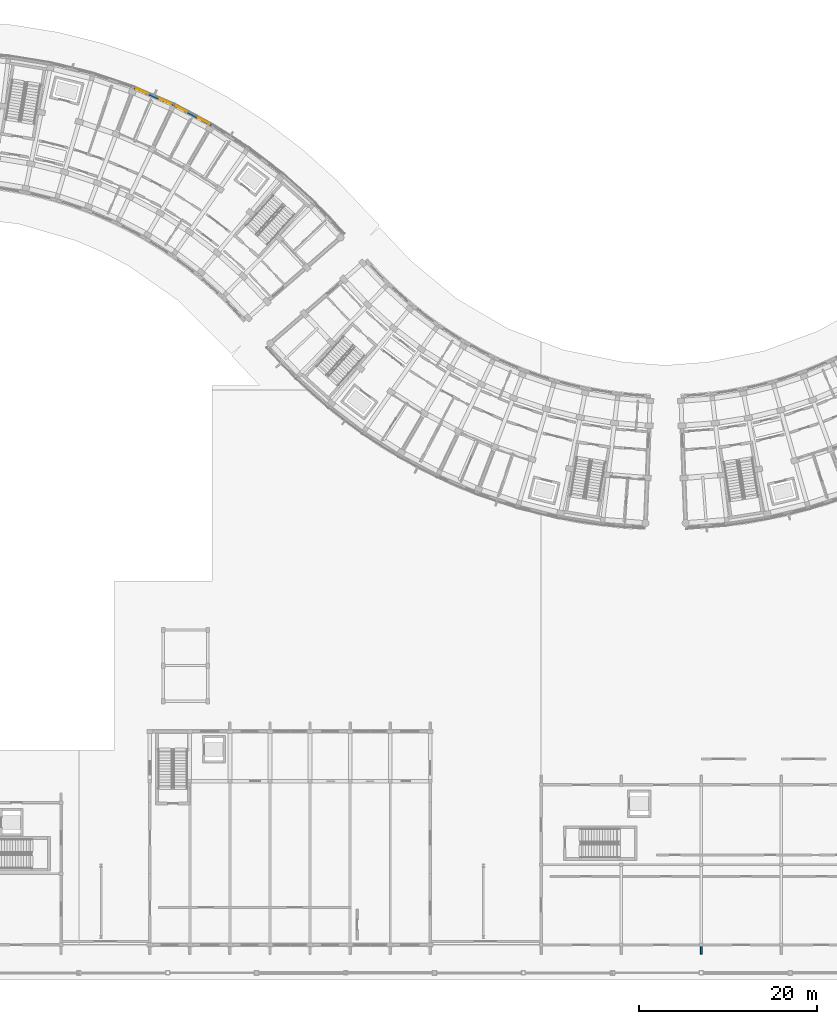
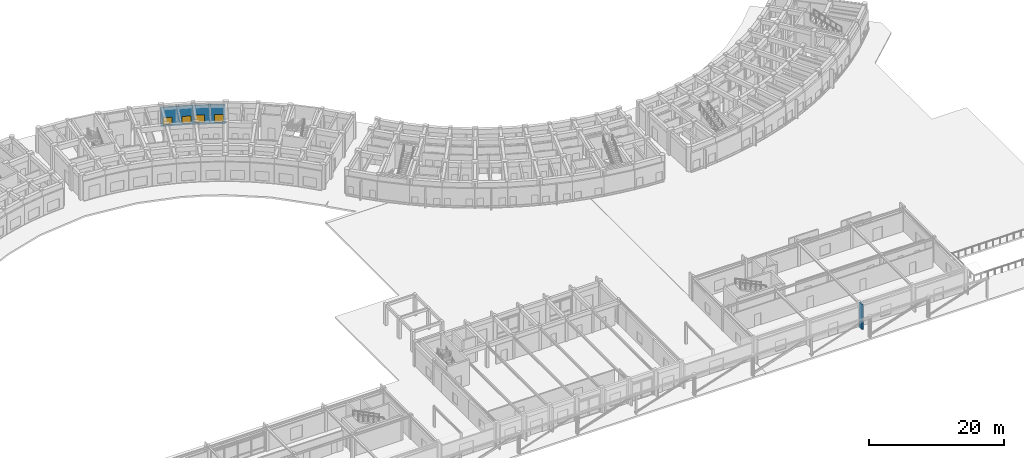
# One storey, part 40 of 61: 4 windows, 3 walls, 4 openings.
"""IFC4 building model written with IfcOpenShell, lengths in metres."""

import ifcopenshell
import ifcopenshell.guid

model = None  # the IFC model being written
_history = None  # IfcOwnerHistory: only IFC2X3 demands one
_inside = {}  # id of a spatial element -> (the spatial element, [elements in it])
_under = {}  # id of a project, library or spatial element -> (it, [spatial elements below it])
_declared = {}  # id of a project -> (the project, [libraries it declares])
_typed = {}  # id of a type object -> (the type object, [elements of that type])
_made_of = {}  # id of a material, layer set ... -> (it, [elements and type objects made of it])


def new_model(schema):
    """Start an empty IFC model of exactly this schema.

    Asked for "IFC4X3", IfcOpenShell would pick the latest addendum, in which some entities
    have other attributes; the version numbers below select the first issue.
    IFC2X3 requires an IfcOwnerHistory on every rooted entity: one is made here for all.
    """
    global model, _history
    if schema == "IFC4X3":
        model = ifcopenshell.file(schema_version=(4, 3, 0, 0))
    else:
        model = ifcopenshell.file(schema=schema)
    _inside.clear()
    _under.clear()
    _declared.clear()
    _typed.clear()
    _made_of.clear()
    _history = None
    if model.schema == "IFC2X3":
        org = make("IfcOrganization", Name="unknown")
        user = make(
            "IfcPersonAndOrganization",
            ThePerson=make("IfcPerson", FamilyName="unknown"),
            TheOrganization=org,
        )
        app = make(
            "IfcApplication",
            ApplicationDeveloper=org,
            Version="unknown",
            ApplicationFullName="unknown",
            ApplicationIdentifier="unknown",
        )
        _history = make(
            "IfcOwnerHistory",
            OwningUser=user,
            OwningApplication=app,
            ChangeAction="ADDED",
            CreationDate=0,
        )
    return model


def make(cls, **values):
    """One entity of the class cls with the attributes given. An attribute that is None is left unset."""
    return model.create_entity(
        cls, **{name: value for name, value in values.items() if value is not None}
    )


def rooted(cls, **values):
    """An entity with a GlobalId (a new one), such as an element, a storey or a relation."""
    return make(cls, GlobalId=ifcopenshell.guid.new(), OwnerHistory=_history, **values)


def si_unit(unit_type, name, prefix=None):
    """IfcSIUnit, for example si_unit("LENGTHUNIT", "METRE", prefix="MILLI")."""
    return make("IfcSIUnit", UnitType=unit_type, Prefix=prefix, Name=name)


def assignment(units):
    """IfcUnitAssignment: the units of a project."""
    return None if units is None else make("IfcUnitAssignment", Units=units)


def point(xyz):
    """IfcCartesianPoint."""
    return None if xyz is None else make("IfcCartesianPoint", Coordinates=xyz)


def direction(xyz):
    """IfcDirection."""
    return None if xyz is None else make("IfcDirection", DirectionRatios=xyz)


def frame(location, z_axis=None, x_axis=None):
    """IfcAxis2Placement3D, a coordinate frame: its origin and axes. An axis left out is left unset."""
    return make(
        "IfcAxis2Placement3D",
        Location=point(location),
        Axis=direction(z_axis),
        RefDirection=direction(x_axis),
    )


def frame_2d(location, x_axis=None):
    """IfcAxis2Placement2D, a coordinate frame in the plane: its origin and x axis."""
    return make(
        "IfcAxis2Placement2D", Location=point(location), RefDirection=direction(x_axis)
    )


def origin():
    """The frame at (0, 0, 0) with its axes left unset."""
    return frame((0.0, 0.0, 0.0))


def place(relative_to, where):
    """IfcLocalPlacement: puts the frame where relative to a parent placement (None: the world)."""
    return make(
        "IfcLocalPlacement", PlacementRelTo=relative_to, RelativePlacement=where
    )


def context(
    kind, dimensions, precision=None, world=None, true_north=None, identifier=None
):
    """IfcGeometricRepresentationContext, for example the 3D "Model" context."""
    return make(
        "IfcGeometricRepresentationContext",
        ContextIdentifier=identifier,
        ContextType=kind,
        CoordinateSpaceDimension=dimensions,
        Precision=precision,
        WorldCoordinateSystem=world,
        TrueNorth=true_north,
    )


def subcontext(parent, identifier, kind, view, scale=None):
    """IfcGeometricRepresentationSubContext, for example "Body" below "Model"."""
    return make(
        "IfcGeometricRepresentationSubContext",
        ContextIdentifier=identifier,
        ContextType=kind,
        ParentContext=parent,
        TargetScale=scale,
        TargetView=view,
    )


def project(units=None, contexts=None):
    """IfcProject with its units and contexts."""
    return rooted(
        "IfcProject",
        Name="project",
        RepresentationContexts=contexts,
        UnitsInContext=assignment(units),
    )


def spatial(cls, under=None, at=None, **own):
    """A site, building, storey or space (cls), placed at a placement, below another one or the project."""
    s = rooted(cls, ObjectPlacement=at, **own)
    if under is not None:
        _under.setdefault(under.id(), (under, []))[1].append(s)
    return s


def profile(cls, at=None, kind="AREA", **sizes):
    """A parametric profile (cls). Its sizes go by their IFC names, for example OverallWidth=200.0."""
    return make(cls, ProfileType=kind, Position=at, **sizes)


def rectangle(**sizes):
    """IfcRectangleProfileDef."""
    return profile("IfcRectangleProfileDef", **sizes)


def extrude(swept, where, along, depth):
    """IfcExtrudedAreaSolid: the profile swept, set in the frame where, extruded along a direction by depth."""
    return make(
        "IfcExtrudedAreaSolid",
        SweptArea=swept,
        Position=where,
        ExtrudedDirection=direction(along),
        Depth=depth,
    )


def shape(context_of_items, identifier, shape_type, items):
    """IfcShapeRepresentation: the items that make up one representation, for example the "Body"."""
    return make(
        "IfcShapeRepresentation",
        ContextOfItems=context_of_items,
        RepresentationIdentifier=identifier,
        RepresentationType=shape_type,
        Items=items,
    )


def material(Name=None, Category=None):
    """IfcMaterial."""
    return make("IfcMaterial", Name=Name, Category=Category)


def layer(
    of_material, thickness, ventilated=None, Name=None, Category=None, Priority=None
):
    """IfcMaterialLayer: one layer of a wall or slab, of a material (None: an air gap)."""
    return make(
        "IfcMaterialLayer",
        Material=of_material,
        LayerThickness=thickness,
        IsVentilated=ventilated,
        Name=Name,
        Category=Category,
        Priority=Priority,
    )


def layer_set(layers, Name=None):
    """IfcMaterialLayerSet."""
    return make("IfcMaterialLayerSet", MaterialLayers=layers, LayerSetName=Name)


def made_of(thing, what):
    """Note that an element or type object is made of a material, layer set ...; save() writes the relation."""
    if what is not None:
        _made_of.setdefault(what.id(), (what, []))[1].append(thing)
    return thing


def type_object(cls, material=None, **own):
    """A type object (cls), such as IfcWallType, which elements share."""
    return made_of(rooted(cls, **own), material)


def element(
    cls,
    number,
    at=None,
    inside=None,
    cuts=None,
    type_object=None,
    material=None,
    context=None,
    identifier="Body",
    shape_type=None,
    held_by="IfcProductDefinitionShape",
    body=None,
    shapes=None,
    **own,
):
    """One element of the class cls, such as IfcWall. Its Tag is "e" and its number.

    at: its placement. inside: the storey or other place that contains it. cuts: it is an
    opening in that element (IfcRelVoidsElement). A single representation is given by context,
    identifier, shape_type and body (its items); several are given by shapes. held_by: the class
    of the entity that holds the representations. save() writes the other relations.
    """
    e = rooted(cls, Tag="e%d" % number, ObjectPlacement=at, **own)
    if body is not None:
        shapes = [shape(context, identifier, shape_type, body)]
    if shapes is not None:
        e.Representation = make(held_by, Representations=shapes)
    if inside is not None:
        _inside.setdefault(inside.id(), (inside, []))[1].append(e)
    if cuts is not None:
        rooted(
            "IfcRelVoidsElement", RelatingBuildingElement=cuts, RelatedOpeningElement=e
        )
    if type_object is not None:
        _typed.setdefault(type_object.id(), (type_object, []))[1].append(e)
    return made_of(e, material)


def fill(opening, filler):
    """IfcRelFillsElement: the door or window that sits in an opening."""
    return rooted(
        "IfcRelFillsElement",
        RelatingOpeningElement=opening,
        RelatedBuildingElement=filler,
    )


def aggregate(whole, parts):
    """IfcRelAggregates: a whole, such as a stair, and the parts it consists of."""
    return rooted("IfcRelAggregates", RelatingObject=whole, RelatedObjects=parts)


def save(model, path):
    """Write the relations noted so far, then the file.

    IfcRelAggregates (storeys below a building ...), IfcRelContainedInSpatialStructure (elements
    in a storey), IfcRelDefinesByType, IfcRelAssociatesMaterial and IfcRelDeclares: one each for
    every whole, place, type object, material and project.
    """
    for whole, parts in _under.values():
        aggregate(whole, parts)
    for where, things in _inside.values():
        rooted(
            "IfcRelContainedInSpatialStructure",
            RelatedElements=things,
            RelatingStructure=where,
        )
    for kind, things in _typed.values():
        rooted("IfcRelDefinesByType", RelatedObjects=things, RelatingType=kind)
    for what, things in _made_of.values():
        rooted("IfcRelAssociatesMaterial", RelatedObjects=things, RelatingMaterial=what)
    for by, libraries in _declared.values():
        rooted("IfcRelDeclares", RelatingContext=by, RelatedDefinitions=libraries)
    model.write(path)


model = new_model("IFC4")

# Units and contexts
model_context = context("Model", 3, precision=1e-05, world=origin(), true_north=direction((0.0, 1.0)))
body_context = subcontext(model_context, "Body", "Model", "MODEL_VIEW")
ifc_project = project(units=[si_unit("LENGTHUNIT", "METRE"), si_unit("AREAUNIT", "SQUARE_METRE"), si_unit("VOLUMEUNIT", "CUBIC_METRE"), si_unit("PLANEANGLEUNIT", "RADIAN"), si_unit("MASSUNIT", "GRAM", prefix="KILO")], contexts=[model_context])

# Site, building, storey
site_placement = place(None, origin())
site = spatial("IfcSite", under=ifc_project, at=site_placement, CompositionType="ELEMENT")
building_placement = place(site_placement, origin())
building = spatial("IfcBuilding", under=site, at=building_placement, Name="Zimvara Arc Housing Community", CompositionType="ELEMENT")
storey_placement = place(building_placement, origin())
storey = spatial("IfcBuildingStorey", under=building, at=storey_placement, Name="L00", CompositionType="ELEMENT", Elevation=0.0)

# Wall
ifc_material_1 = material(Name="Board-Marked Fair-Faced Concrete C35/45", Category="concrete")
ifc_layer_1 = layer(ifc_material_1, 0.219970703125)
ifc_layer_set_1 = layer_set([ifc_layer_1], Name="Board-Marked Fair-Faced Concrete C35/45")
wall_type_1 = type_object("IfcWallType", Name="EWL-PARA-220", PredefinedType="PARAPET", material=ifc_layer_set_1)
wall_1_placement = place(storey_placement, frame((130.0, 2.550048828125, 0.0), z_axis=(0.0, 0.0, 1.0), x_axis=(0.0, 1.0, 0.0)))
element("IfcWall", 1, at=wall_1_placement, inside=storey, type_object=wall_type_1, Name="finwall:nursery:L00:s:2", PredefinedType="PARAPET", context=body_context, shape_type="SweptSolid", body=[
    extrude(rectangle(XDim=0.869873046875, YDim=0.219970703125, at=frame_2d((0.43505859375, 0.0))), origin(), (0.0, 0.0, 1.0), 4.5),
])

# Wall, openings, windows
ifc_material_2 = material(Name="Board-Marked Fair-Faced Concrete C35/45", Category="concrete")
ifc_layer_2 = layer(ifc_material_2, 0.22802734375)
ifc_layer_set_2 = layer_set([ifc_layer_2], Name="Board-Marked Fair-Faced Concrete C35/45")
wall_type_2 = type_object("IfcWallType", Name="EWL-VAR-14", PredefinedType="SOLIDWALL", material=ifc_layer_set_2)
wall_2_placement = place(storey_placement, frame((66.220947265625, 99.957763671875, 0.0), z_axis=(0.0, 0.0, 1.0), x_axis=(0.918711189033, -0.394930058548, 0.0)))
wall_2 = element("IfcWall", 2, at=wall_2_placement, inside=storey, type_object=wall_type_2, Name="ewall:blkB:L00:out:b4", PredefinedType="SOLIDWALL", context=body_context, shape_type="SweptSolid", body=[
    extrude(rectangle(XDim=4.808837890625, YDim=0.22802734375, at=frame_2d((2.404296875, 0.0))), origin(), (0.0, 0.0, 1.0), 3.449951171875),
])
opening_1_placement = place(wall_2_placement, frame((0.300048828125, 0.0, 0.300048828125)))
opening_1 = element("IfcOpeningElement", 3, at=opening_1_placement, cuts=wall_2, Name="Opening W42", PredefinedType="OPENING", context=body_context, shape_type="SweptSolid", body=[
    extrude(rectangle(XDim=1.360107421875, YDim=1.280029296875, at=frame_2d((0.68017578125, 0.64013671875))), frame((0.0, 0.1240234375, 0.0), z_axis=(0.0, -1.0, 0.0), x_axis=(1.0, 0.0, 0.0)), (0.0, 0.0, 1.0), 0.248046875),
])
opening_2_placement = place(wall_2_placement, frame((3.14892578125, 0.0, 0.300048828125)))
opening_2 = element("IfcOpeningElement", 4, at=opening_2_placement, cuts=wall_2, Name="Opening W42", PredefinedType="OPENING", context=body_context, shape_type="SweptSolid", body=[
    extrude(rectangle(XDim=1.360107421875, YDim=1.280029296875, at=frame_2d((0.68017578125, 0.64013671875))), frame((0.0, 0.1240234375, 0.0), z_axis=(0.0, -1.0, 0.0), x_axis=(1.0, 0.0, 0.0)), (0.0, 0.0, 1.0), 0.248046875),
])
ifc_material_3 = material(Name="Solar Control Low-E Double Glazing", Category="glass")
window_type_1 = type_object("IfcWindowType", Name="WIN-MOD-1360x1280", PartitioningType="DOUBLE_PANEL_VERTICAL", PredefinedType="WINDOW", material=ifc_material_3)
window_1_placement = place(opening_1_placement, origin())
window_1 = element("IfcWindow", 5, at=window_1_placement, inside=storey, type_object=window_type_1, Name="win:blkB:L00:out:b4:1", OverallHeight=1.280029296875, OverallWidth=1.360107421875, PartitioningType="DOUBLE_PANEL_VERTICAL", PredefinedType="WINDOW", context=body_context, shape_type="SweptSolid", body=[
    extrude(rectangle(XDim=1.360107421875, YDim=1.280029296875, at=frame_2d((0.68017578125, 0.64013671875))), frame((0.0, 0.030029296875, 0.0), z_axis=(0.0, -1.0, 0.0), x_axis=(1.0, 0.0, 0.0)), (0.0, 0.0, 1.0), 0.06005859375),
])
fill(opening_1, window_1)
window_2_placement = place(opening_2_placement, origin())
window_2 = element("IfcWindow", 6, at=window_2_placement, inside=storey, type_object=window_type_1, Name="win:blkB:L00:out:b4:2", OverallHeight=1.280029296875, OverallWidth=1.360107421875, PartitioningType="DOUBLE_PANEL_VERTICAL", PredefinedType="WINDOW", context=body_context, shape_type="SweptSolid", body=[
    extrude(rectangle(XDim=1.360107421875, YDim=1.280029296875, at=frame_2d((0.68017578125, 0.64013671875))), frame((0.0, 0.030029296875, 0.0), z_axis=(0.0, -1.0, 0.0), x_axis=(1.0, 0.0, 0.0)), (0.0, 0.0, 1.0), 0.06005859375),
])
fill(opening_2, window_2)

ifc_material_4 = material(Name="Board-Marked Fair-Faced Concrete C35/45", Category="concrete")
ifc_layer_3 = layer(ifc_material_4, 0.238037109375)
ifc_layer_set_3 = layer_set([ifc_layer_3], Name="Board-Marked Fair-Faced Concrete C35/45")
wall_type_3 = type_object("IfcWallType", Name="EWL-VAR-15", PredefinedType="SOLIDWALL", material=ifc_layer_set_3)
wall_3_placement = place(storey_placement, frame((70.6748046875, 98.04150390625, 0.0), z_axis=(0.0, 0.0, 1.0), x_axis=(0.883448093208, -0.468529045639, 0.0)))
wall_3 = element("IfcWall", 7, at=wall_3_placement, inside=storey, type_object=wall_type_3, Name="ewall:blkB:L00:out:b5", PredefinedType="SOLIDWALL", context=body_context, shape_type="SweptSolid", body=[
    extrude(rectangle(XDim=4.80908203125, YDim=0.238037109375, at=frame_2d((2.404541015625, 0.0))), origin(), (0.0, 0.0, 1.0), 3.449951171875),
])
opening_3_placement = place(wall_3_placement, frame((0.300048828125, 0.0, 0.300048828125)))
opening_3 = element("IfcOpeningElement", 8, at=opening_3_placement, cuts=wall_3, Name="Opening W43", PredefinedType="OPENING", context=body_context, shape_type="SweptSolid", body=[
    extrude(rectangle(XDim=1.360107421875, YDim=1.419921875, at=frame_2d((0.68017578125, 0.7099609375))), frame((0.0, 0.12890625, 0.0), z_axis=(0.0, -1.0, 0.0), x_axis=(1.0, 0.0, 0.0)), (0.0, 0.0, 1.0), 0.258056640625),
])
opening_4_placement = place(wall_3_placement, frame((3.14892578125, 0.0, 0.300048828125)))
opening_4 = element("IfcOpeningElement", 9, at=opening_4_placement, cuts=wall_3, Name="Opening W43", PredefinedType="OPENING", context=body_context, shape_type="SweptSolid", body=[
    extrude(rectangle(XDim=1.360107421875, YDim=1.419921875, at=frame_2d((0.68017578125, 0.7099609375))), frame((0.0, 0.12890625, 0.0), z_axis=(0.0, -1.0, 0.0), x_axis=(1.0, 0.0, 0.0)), (0.0, 0.0, 1.0), 0.258056640625),
])
ifc_material_5 = material(Name="Solar Control Low-E Double Glazing", Category="glass")
window_type_2 = type_object("IfcWindowType", Name="WIN-MOD-1360x1420", PartitioningType="DOUBLE_PANEL_VERTICAL", PredefinedType="WINDOW", material=ifc_material_5)
window_3_placement = place(opening_3_placement, origin())
window_3 = element("IfcWindow", 10, at=window_3_placement, inside=storey, type_object=window_type_2, Name="win:blkB:L00:out:b5:1", OverallHeight=1.419921875, OverallWidth=1.360107421875, PartitioningType="DOUBLE_PANEL_VERTICAL", PredefinedType="WINDOW", context=body_context, shape_type="SweptSolid", body=[
    extrude(rectangle(XDim=1.360107421875, YDim=1.419921875, at=frame_2d((0.68017578125, 0.7099609375))), frame((0.0, 0.030029296875, 0.0), z_axis=(0.0, -1.0, 0.0), x_axis=(1.0, 0.0, 0.0)), (0.0, 0.0, 1.0), 0.06005859375),
])
fill(opening_3, window_3)
window_4_placement = place(opening_4_placement, origin())
window_4 = element("IfcWindow", 11, at=window_4_placement, inside=storey, type_object=window_type_2, Name="win:blkB:L00:out:b5:2", OverallHeight=1.419921875, OverallWidth=1.360107421875, PartitioningType="DOUBLE_PANEL_VERTICAL", PredefinedType="WINDOW", context=body_context, shape_type="SweptSolid", body=[
    extrude(rectangle(XDim=1.360107421875, YDim=1.419921875, at=frame_2d((0.68017578125, 0.7099609375))), frame((0.0, 0.030029296875, 0.0), z_axis=(0.0, -1.0, 0.0), x_axis=(1.0, 0.0, 0.0)), (0.0, 0.0, 1.0), 0.06005859375),
])
fill(opening_4, window_4)

save(model, "model.ifc")
